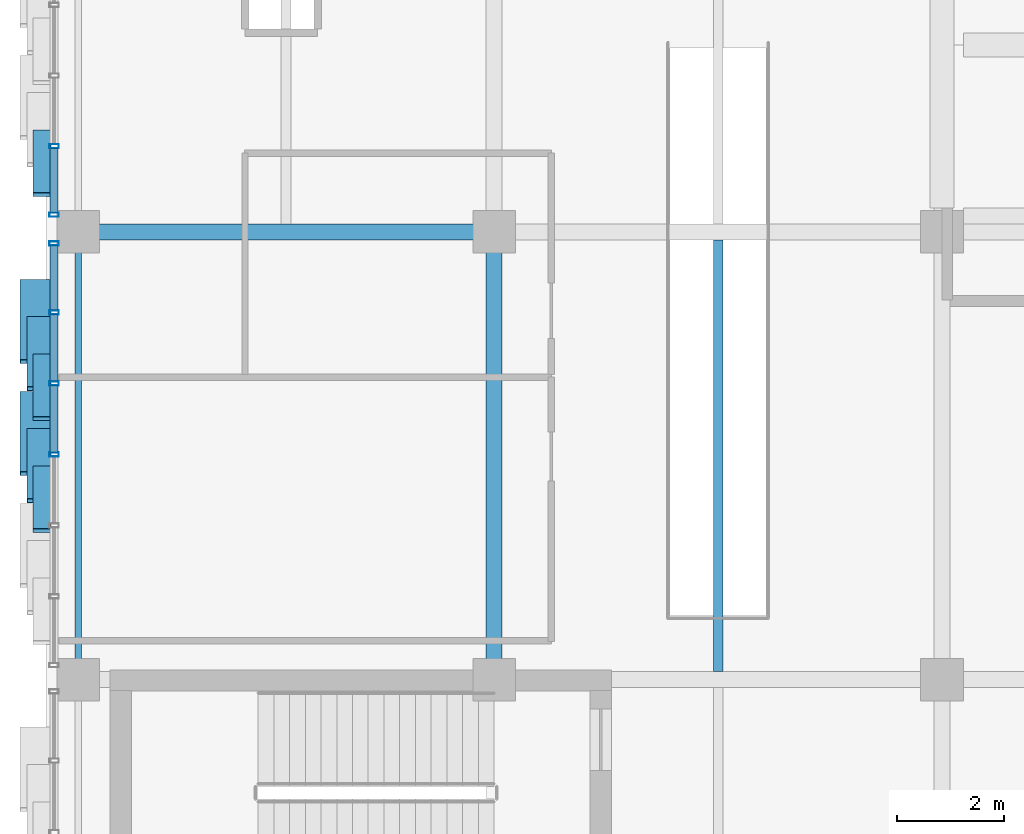
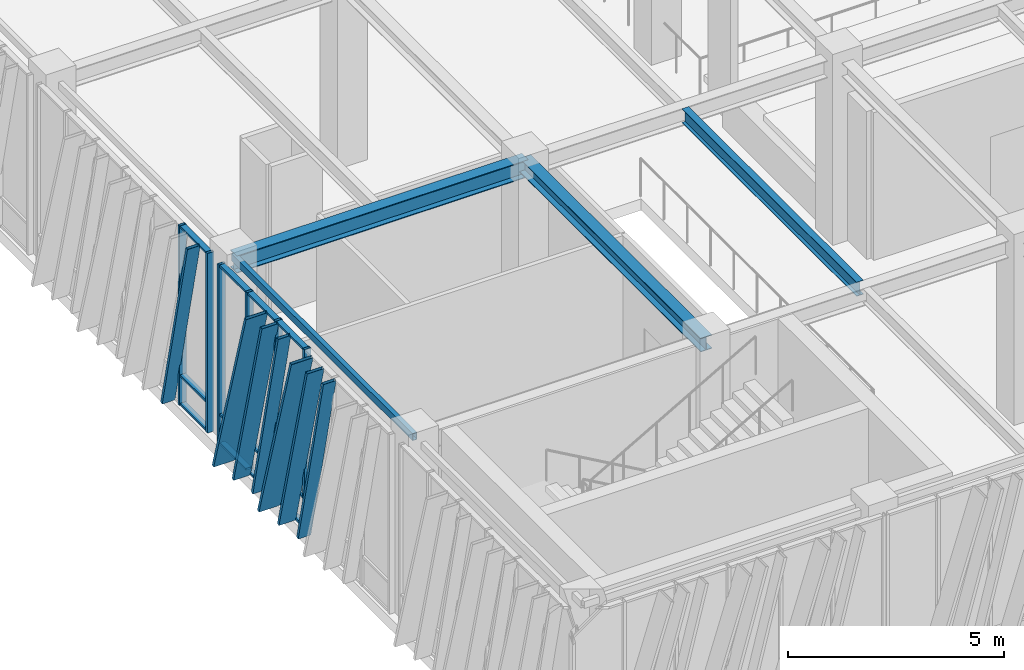
# One storey, part 38 of 139: 25 members, 4 beams, 2 elements without a shape of their own.
"""IFC4 building model written with IfcOpenShell, lengths in metres."""

from ifc_helpers import new_model, si_unit, direction, frame, origin, origin_2d, place, context, subcontext, project, spatial, hollow_rectangle, i_section, extrude, material, layer, layer_set, material_profile, profile_set, type_object, element, aggregate, save


model = new_model("IFC4")

# Units and contexts
model_context = context("Model", 3, precision=1e-05, world=origin(), true_north=direction((0.0, 1.0)))
body_context = subcontext(model_context, "Body", "Model", "MODEL_VIEW")
ifc_project = project(units=[si_unit("LENGTHUNIT", "METRE"), si_unit("AREAUNIT", "SQUARE_METRE"), si_unit("VOLUMEUNIT", "CUBIC_METRE"), si_unit("PLANEANGLEUNIT", "RADIAN"), si_unit("MASSUNIT", "GRAM", prefix="KILO")], contexts=[model_context])

# Site, building, storey
site_placement = place(None, origin())
site = spatial("IfcSite", under=ifc_project, at=site_placement, CompositionType="ELEMENT")
building_placement = place(site_placement, origin())
building = spatial("IfcBuilding", under=site, at=building_placement, Name="Zayran Congress Hotel", CompositionType="ELEMENT")
storey_placement = place(building_placement, frame((0.0, 0.0, 5.39990234375)))
storey = spatial("IfcBuildingStorey", under=building, at=storey_placement, Name="L01", CompositionType="ELEMENT", Elevation=5.39990234375)

# Beams
ifc_material_1 = material(Name="Steel S355", Category="steel")
ifc_material_profile_1 = material_profile(ifc_material_1, i_section(OverallWidth=0.300048828125, OverallDepth=0.489990234375, WebThickness=0.011962890625, FlangeThickness=0.02294921875, at=origin_2d()), Name="HEA 500")
ifc_profile_set_1 = profile_set([ifc_material_profile_1], Name="Steel S355")
beam_type_1 = type_object("IfcBeamType", Name="TP-BM-05", PredefinedType="BEAM", material=ifc_profile_set_1)
beam_1_placement = place(storey_placement, frame((9.0, 84.39990234375, 4.835205078125), z_axis=(1.0, 0.0, 0.0), x_axis=(0.0, 1.0, 0.0)))
element("IfcBeam", 1, at=beam_1_placement, inside=storey, type_object=beam_type_1, Name="BM-V1-L01-0533", PredefinedType="BEAM", context=body_context, shape_type="SweptSolid", body=[
    extrude(i_section(OverallWidth=0.300048828125, OverallDepth=0.489990234375, WebThickness=0.011962890625, FlangeThickness=0.02294921875, at=origin_2d()), origin(), (0.0, 0.0, 1.0), 7.800048828125),
])
ifc_material_profile_2 = material_profile(ifc_material_1, i_section(OverallWidth=0.300048828125, OverallDepth=0.389892578125, WebThickness=0.010986328125, FlangeThickness=0.01904296875, at=origin_2d()), Name="HEA 400")
ifc_profile_set_2 = profile_set([ifc_material_profile_2], Name="Steel S355")
beam_type_2 = type_object("IfcBeamType", Name="TP-BM-06", PredefinedType="BEAM", material=ifc_profile_set_2)
beam_2_placement = place(storey_placement, frame((16.800048828125, 76.0, 4.885009765625), z_axis=(0.0, 1.0, 0.0), x_axis=(-1.0, 0.0, 0.0)))
element("IfcBeam", 2, at=beam_2_placement, inside=storey, type_object=beam_type_2, Name="BM-V1-L01-0577", PredefinedType="BEAM", context=body_context, shape_type="SweptSolid", body=[
    extrude(i_section(OverallWidth=0.300048828125, OverallDepth=0.389892578125, WebThickness=0.010986328125, FlangeThickness=0.01904296875, at=origin_2d()), origin(), (0.0, 0.0, 1.0), 8.39990234375),
])
ifc_material_profile_3 = material_profile(ifc_material_1, i_section(OverallWidth=0.179931640625, OverallDepth=0.39990234375, WebThickness=0.008544921875, FlangeThickness=0.013427734375, at=origin_2d()), Name="IPE 400")
ifc_profile_set_3 = profile_set([ifc_material_profile_3], Name="Steel S355")
beam_type_3 = type_object("IfcBeamType", Name="TP-JS-03", PredefinedType="JOIST", material=ifc_profile_set_3)
beam_3_placement = place(storey_placement, frame((21.0, 76.14990234375, 4.880126953125), z_axis=(0.0, 1.0, 0.0), x_axis=(-1.0, 0.0, 0.0)))
element("IfcBeam", 3, at=beam_3_placement, inside=storey, type_object=beam_type_3, Name="JST-V1-L01-0621", PredefinedType="JOIST", context=body_context, shape_type="SweptSolid", body=[
    extrude(i_section(OverallWidth=0.179931640625, OverallDepth=0.39990234375, WebThickness=0.008544921875, FlangeThickness=0.013427734375, at=origin_2d()), origin(), (0.0, 0.0, 1.0), 8.10009765625),
])
ifc_material_profile_4 = material_profile(ifc_material_1, hollow_rectangle(XDim=0.1201171875, YDim=0.199951171875, WallThickness=0.008056640625, at=origin_2d()), Name="RHS 200x120x8")
ifc_profile_set_4 = profile_set([ifc_material_profile_4], Name="Steel S355")
beam_type_4 = type_object("IfcBeamType", Name="TP-SP-02", PredefinedType="SPANDREL", material=ifc_profile_set_4)
beam_4_placement = place(storey_placement, frame((9.0, 76.0, 4.97998046875), z_axis=(0.0, 1.0, 0.0), x_axis=(-1.0, 0.0, 0.0)))
element("IfcBeam", 4, at=beam_4_placement, inside=storey, type_object=beam_type_4, Name="BM-V1-L01-0572", PredefinedType="SPANDREL", context=body_context, shape_type="SweptSolid", body=[
    extrude(hollow_rectangle(XDim=0.1201171875, YDim=0.199951171875, WallThickness=0.008056640625, at=origin_2d()), origin(), (0.0, 0.0, 1.0), 8.39990234375),
])

# Curtain wall, members
ifc_material_2 = material(Name="Anodised aluminium and low-E insulated glass", Category="aluminium")
ifc_layer_1 = layer(ifc_material_2, 0.179931640625)
ifc_layer_set_1 = layer_set([ifc_layer_1], Name="Anodised aluminium and low-E insulated glass")
curtain_wall_type_1 = type_object("IfcCurtainWallType", Name="CW-V1W-L01-CW-32-7990-5080", PredefinedType="USERDEFINED", material=ifc_layer_set_1)
curtain_wall_1_placement = place(storey_placement, origin())
curtain_wall_1 = element("IfcCurtainWall", 5, at=curtain_wall_1_placement, inside=storey, type_object=curtain_wall_type_1, Name="CW-V1W-L01-1", ObjectType="CURTAIN WALL", PredefinedType="USERDEFINED")
ifc_material_3 = material(Name="Anodised aluminium framing", Category="aluminium")
ifc_material_profile_5 = material_profile(ifc_material_3, hollow_rectangle(XDim=0.080078125, YDim=0.179931640625, WallThickness=0.0048828125, at=origin_2d()), Name="RHS 180x80x5")
ifc_profile_set_5 = profile_set([ifc_material_profile_5], Name="Anodised aluminium framing")
member_type_1 = type_object("IfcMemberType", Name="TP-CWM-01", PredefinedType="MULLION", material=ifc_profile_set_5)
member_1_placement = place(storey_placement, frame((8.550048828125, 84.179931640625, 0.0), z_axis=(0.0, 0.0, 1.0), x_axis=(0.0, 1.0, 0.0)))
member_1 = element("IfcMember", 6, at=member_1_placement, type_object=member_type_1, Name="CW-V1W-L01-1-M00", PredefinedType="MULLION", context=body_context, shape_type="SweptSolid", body=[
    extrude(hollow_rectangle(XDim=0.080078125, YDim=0.179931640625, WallThickness=0.0048828125, at=origin_2d()), origin(), (0.0, 0.0, 1.0), 5.080078125),
])
member_2_placement = place(storey_placement, frame((8.550048828125, 82.88818359375, 0.0), z_axis=(0.0, 0.0, 1.0), x_axis=(0.0, 1.0, 0.0)))
member_2 = element("IfcMember", 7, at=member_2_placement, type_object=member_type_1, Name="CW-V1W-L01-1-M01", PredefinedType="MULLION", context=body_context, shape_type="SweptSolid", body=[
    extrude(hollow_rectangle(XDim=0.080078125, YDim=0.179931640625, WallThickness=0.0048828125, at=origin_2d()), origin(), (0.0, 0.0, 1.0), 5.080078125),
])
member_3_placement = place(storey_placement, frame((8.550048828125, 81.556640625, 0.0), z_axis=(0.0, 0.0, 1.0), x_axis=(0.0, 1.0, 0.0)))
member_3 = element("IfcMember", 8, at=member_3_placement, type_object=member_type_1, Name="CW-V1W-L01-1-M02", PredefinedType="MULLION", context=body_context, shape_type="SweptSolid", body=[
    extrude(hollow_rectangle(XDim=0.080078125, YDim=0.179931640625, WallThickness=0.0048828125, at=origin_2d()), origin(), (0.0, 0.0, 1.0), 5.080078125),
])
member_4_placement = place(storey_placement, frame((8.550048828125, 80.22509765625, 0.0), z_axis=(0.0, 0.0, 1.0), x_axis=(0.0, 1.0, 0.0)))
member_4 = element("IfcMember", 9, at=member_4_placement, type_object=member_type_1, Name="CW-V1W-L01-1-M03", PredefinedType="MULLION", context=body_context, shape_type="SweptSolid", body=[
    extrude(hollow_rectangle(XDim=0.080078125, YDim=0.179931640625, WallThickness=0.0048828125, at=origin_2d()), origin(), (0.0, 0.0, 1.0), 5.080078125),
])

ifc_layer_2 = layer(ifc_material_2, 0.179931640625)
ifc_layer_set_2 = layer_set([ifc_layer_2], Name="Anodised aluminium and low-E insulated glass")
curtain_wall_type_2 = type_object("IfcCurtainWallType", Name="CW-V1W-L01-CW-31-7940-5080", PredefinedType="USERDEFINED", material=ifc_layer_set_2)
curtain_wall_2_placement = place(storey_placement, origin())
curtain_wall_2 = element("IfcCurtainWall", 10, at=curtain_wall_2_placement, inside=storey, type_object=curtain_wall_type_2, Name="CW-V1W-L01-2", ObjectType="CURTAIN WALL", PredefinedType="USERDEFINED")
member_5_placement = place(storey_placement, frame((8.550048828125, 86.00341796875, 0.0), z_axis=(0.0, 0.0, 1.0), x_axis=(0.0, 1.0, 0.0)))
member_5 = element("IfcMember", 11, at=member_5_placement, type_object=member_type_1, Name="CW-V1W-L01-2-M05", PredefinedType="MULLION", context=body_context, shape_type="SweptSolid", body=[
    extrude(hollow_rectangle(XDim=0.080078125, YDim=0.179931640625, WallThickness=0.0048828125, at=origin_2d()), origin(), (0.0, 0.0, 1.0), 5.080078125),
])
member_6_placement = place(storey_placement, frame((8.550048828125, 84.719970703125, 0.0), z_axis=(0.0, 0.0, 1.0), x_axis=(0.0, 1.0, 0.0)))
member_6 = element("IfcMember", 12, at=member_6_placement, type_object=member_type_1, Name="CW-V1W-L01-2-M06", PredefinedType="MULLION", context=body_context, shape_type="SweptSolid", body=[
    extrude(hollow_rectangle(XDim=0.080078125, YDim=0.179931640625, WallThickness=0.0048828125, at=origin_2d()), origin(), (0.0, 0.0, 1.0), 5.080078125),
])

# Member
ifc_material_profile_6 = material_profile(ifc_material_3, hollow_rectangle(XDim=0.06005859375, YDim=0.14990234375, WallThickness=0.00390625, at=origin_2d()), Name="RHS 150x60x4")
ifc_profile_set_6 = profile_set([ifc_material_profile_6], Name="Anodised aluminium framing")
member_type_2 = type_object("IfcMemberType", Name="TP-CWT-01", PredefinedType="USERDEFINED", material=ifc_profile_set_6)
member_7_placement = place(storey_placement, frame((8.550048828125, 84.139892578125, 0.030029296875), z_axis=(0.0, -1.0, 0.0), x_axis=(0.0, 0.0, 1.0)))
member_7 = element("IfcMember", 13, at=member_7_placement, type_object=member_type_2, Name="CW-V1W-L01-1-T00-0", ObjectType="TRANSOM", PredefinedType="USERDEFINED", context=body_context, shape_type="SweptSolid", body=[
    extrude(hollow_rectangle(XDim=0.06005859375, YDim=0.14990234375, WallThickness=0.00390625, at=origin_2d()), origin(), (0.0, 0.0, 1.0), 1.211669921875),
])

member_8_placement = place(storey_placement, frame((8.550048828125, 84.139892578125, 0.840087890625), z_axis=(0.0, -1.0, 0.0), x_axis=(0.0, 0.0, 1.0)))
member_8 = element("IfcMember", 14, at=member_8_placement, type_object=member_type_2, Name="CW-V1W-L01-1-T00-1", ObjectType="TRANSOM", PredefinedType="USERDEFINED", context=body_context, shape_type="SweptSolid", body=[
    extrude(hollow_rectangle(XDim=0.06005859375, YDim=0.14990234375, WallThickness=0.00390625, at=origin_2d()), origin(), (0.0, 0.0, 1.0), 1.211669921875),
])

member_9_placement = place(storey_placement, frame((8.550048828125, 84.139892578125, 5.050048828125), z_axis=(0.0, -1.0, 0.0), x_axis=(0.0, 0.0, 1.0)))
member_9 = element("IfcMember", 15, at=member_9_placement, type_object=member_type_2, Name="CW-V1W-L01-1-T00-2", ObjectType="TRANSOM", PredefinedType="USERDEFINED", context=body_context, shape_type="SweptSolid", body=[
    extrude(hollow_rectangle(XDim=0.06005859375, YDim=0.14990234375, WallThickness=0.00390625, at=origin_2d()), origin(), (0.0, 0.0, 1.0), 1.211669921875),
])

member_10_placement = place(storey_placement, frame((8.550048828125, 82.848388671875, 0.030029296875), z_axis=(0.0, -1.0, 0.0), x_axis=(0.0, 0.0, 1.0)))
member_10 = element("IfcMember", 16, at=member_10_placement, type_object=member_type_2, Name="CW-V1W-L01-1-T01-0", ObjectType="TRANSOM", PredefinedType="USERDEFINED", context=body_context, shape_type="SweptSolid", body=[
    extrude(hollow_rectangle(XDim=0.06005859375, YDim=0.14990234375, WallThickness=0.00390625, at=origin_2d()), origin(), (0.0, 0.0, 1.0), 1.251708984375),
])

member_11_placement = place(storey_placement, frame((8.550048828125, 82.848388671875, 0.840087890625), z_axis=(0.0, -1.0, 0.0), x_axis=(0.0, 0.0, 1.0)))
member_11 = element("IfcMember", 17, at=member_11_placement, type_object=member_type_2, Name="CW-V1W-L01-1-T01-1", ObjectType="TRANSOM", PredefinedType="USERDEFINED", context=body_context, shape_type="SweptSolid", body=[
    extrude(hollow_rectangle(XDim=0.06005859375, YDim=0.14990234375, WallThickness=0.00390625, at=origin_2d()), origin(), (0.0, 0.0, 1.0), 1.251708984375),
])

member_12_placement = place(storey_placement, frame((8.550048828125, 82.848388671875, 5.050048828125), z_axis=(0.0, -1.0, 0.0), x_axis=(0.0, 0.0, 1.0)))
member_12 = element("IfcMember", 18, at=member_12_placement, type_object=member_type_2, Name="CW-V1W-L01-1-T01-2", ObjectType="TRANSOM", PredefinedType="USERDEFINED", context=body_context, shape_type="SweptSolid", body=[
    extrude(hollow_rectangle(XDim=0.06005859375, YDim=0.14990234375, WallThickness=0.00390625, at=origin_2d()), origin(), (0.0, 0.0, 1.0), 1.251708984375),
])

member_13_placement = place(storey_placement, frame((8.550048828125, 81.5166015625, 0.030029296875), z_axis=(0.0, -1.0, 0.0), x_axis=(0.0, 0.0, 1.0)))
member_13 = element("IfcMember", 19, at=member_13_placement, type_object=member_type_2, Name="CW-V1W-L01-1-T02-0", ObjectType="TRANSOM", PredefinedType="USERDEFINED", context=body_context, shape_type="SweptSolid", body=[
    extrude(hollow_rectangle(XDim=0.06005859375, YDim=0.14990234375, WallThickness=0.00390625, at=origin_2d()), origin(), (0.0, 0.0, 1.0), 1.251708984375),
])

member_14_placement = place(storey_placement, frame((8.550048828125, 81.5166015625, 0.840087890625), z_axis=(0.0, -1.0, 0.0), x_axis=(0.0, 0.0, 1.0)))
member_14 = element("IfcMember", 20, at=member_14_placement, type_object=member_type_2, Name="CW-V1W-L01-1-T02-1", ObjectType="TRANSOM", PredefinedType="USERDEFINED", context=body_context, shape_type="SweptSolid", body=[
    extrude(hollow_rectangle(XDim=0.06005859375, YDim=0.14990234375, WallThickness=0.00390625, at=origin_2d()), origin(), (0.0, 0.0, 1.0), 1.251708984375),
])

member_15_placement = place(storey_placement, frame((8.550048828125, 81.5166015625, 5.050048828125), z_axis=(0.0, -1.0, 0.0), x_axis=(0.0, 0.0, 1.0)))
member_15 = element("IfcMember", 21, at=member_15_placement, type_object=member_type_2, Name="CW-V1W-L01-1-T02-2", ObjectType="TRANSOM", PredefinedType="USERDEFINED", context=body_context, shape_type="SweptSolid", body=[
    extrude(hollow_rectangle(XDim=0.06005859375, YDim=0.14990234375, WallThickness=0.00390625, at=origin_2d()), origin(), (0.0, 0.0, 1.0), 1.251708984375),
])

member_16_placement = place(storey_placement, frame((8.550048828125, 85.96337890625, 0.030029296875), z_axis=(0.0, -1.0, 0.0), x_axis=(0.0, 0.0, 1.0)))
member_16 = element("IfcMember", 22, at=member_16_placement, type_object=member_type_2, Name="CW-V1W-L01-2-T05-0", ObjectType="TRANSOM", PredefinedType="USERDEFINED", context=body_context, shape_type="SweptSolid", body=[
    extrude(hollow_rectangle(XDim=0.06005859375, YDim=0.14990234375, WallThickness=0.00390625, at=origin_2d()), origin(), (0.0, 0.0, 1.0), 1.203369140625),
])

member_17_placement = place(storey_placement, frame((8.550048828125, 85.96337890625, 0.840087890625), z_axis=(0.0, -1.0, 0.0), x_axis=(0.0, 0.0, 1.0)))
member_17 = element("IfcMember", 23, at=member_17_placement, type_object=member_type_2, Name="CW-V1W-L01-2-T05-1", ObjectType="TRANSOM", PredefinedType="USERDEFINED", context=body_context, shape_type="SweptSolid", body=[
    extrude(hollow_rectangle(XDim=0.06005859375, YDim=0.14990234375, WallThickness=0.00390625, at=origin_2d()), origin(), (0.0, 0.0, 1.0), 1.203369140625),
])

member_18_placement = place(storey_placement, frame((8.550048828125, 85.96337890625, 5.050048828125), z_axis=(0.0, -1.0, 0.0), x_axis=(0.0, 0.0, 1.0)))
member_18 = element("IfcMember", 24, at=member_18_placement, type_object=member_type_2, Name="CW-V1W-L01-2-T05-2", ObjectType="TRANSOM", PredefinedType="USERDEFINED", context=body_context, shape_type="SweptSolid", body=[
    extrude(hollow_rectangle(XDim=0.06005859375, YDim=0.14990234375, WallThickness=0.00390625, at=origin_2d()), origin(), (0.0, 0.0, 1.0), 1.203369140625),
])

ifc_material_4 = material(Name="Warm bronze anodised aluminium", Category="aluminium")
ifc_material_profile_7 = material_profile(ifc_material_4, hollow_rectangle(XDim=0.080078125, YDim=0.580078125, WallThickness=0.006103515625, at=origin_2d()), Name="RHS 580x80x6")
ifc_profile_set_7 = profile_set([ifc_material_profile_7], Name="Warm bronze anodised aluminium")
member_type_3 = type_object("IfcMemberType", Name="TP-RFN-01", PredefinedType="MULLION", material=ifc_profile_set_7)
member_19_placement = place(storey_placement, frame((8.199951171875, 83.469970703125, 0.0), z_axis=(0.0, -0.284031848834, 0.958814845968), x_axis=(0.0, 0.958814845968, 0.284031848834)))
member_19 = element("IfcMember", 25, at=member_19_placement, type_object=member_type_3, Name="Slanting Reed Mullion CW-32-01", PredefinedType="MULLION", context=body_context, shape_type="SweptSolid", body=[
    extrude(hollow_rectangle(XDim=0.080078125, YDim=0.580078125, WallThickness=0.006103515625, at=origin_2d()), origin(), (0.0, 0.0, 1.0), 5.29833984375),
])

member_20_placement = place(storey_placement, frame((8.199951171875, 81.3701171875, 0.0), z_axis=(0.0, -0.284031848834, 0.958814845968), x_axis=(0.0, 0.958814845968, 0.284031848834)))
member_20 = element("IfcMember", 26, at=member_20_placement, type_object=member_type_3, Name="Slanting Reed Mullion CW-32-04", PredefinedType="MULLION", context=body_context, shape_type="SweptSolid", body=[
    extrude(hollow_rectangle(XDim=0.080078125, YDim=0.580078125, WallThickness=0.006103515625, at=origin_2d()), origin(), (0.0, 0.0, 1.0), 5.29833984375),
])

ifc_material_profile_8 = material_profile(ifc_material_4, hollow_rectangle(XDim=0.080078125, YDim=0.449951171875, WallThickness=0.006103515625, at=origin_2d()), Name="RHS 450x80x6")
ifc_profile_set_8 = profile_set([ifc_material_profile_8], Name="Warm bronze anodised aluminium")
member_type_4 = type_object("IfcMemberType", Name="TP-RFN-02", PredefinedType="MULLION", material=ifc_profile_set_8)
member_21_placement = place(storey_placement, frame((8.264892578125, 82.77001953125, 0.0), z_axis=(0.0, -0.250366279854, 0.968151189594), x_axis=(0.0, 0.968151189594, 0.250366279854)))
member_21 = element("IfcMember", 27, at=member_21_placement, type_object=member_type_4, Name="Slanting Reed Mullion CW-32-02", PredefinedType="MULLION", context=body_context, shape_type="SweptSolid", body=[
    extrude(hollow_rectangle(XDim=0.080078125, YDim=0.449951171875, WallThickness=0.006103515625, at=origin_2d()), origin(), (0.0, 0.0, 1.0), 5.247314453125),
])

member_22_placement = place(storey_placement, frame((8.264892578125, 80.669921875, 0.0), z_axis=(0.0, -0.250366279854, 0.968151189594), x_axis=(0.0, 0.968151189594, 0.250366279854)))
member_22 = element("IfcMember", 28, at=member_22_placement, type_object=member_type_4, Name="Slanting Reed Mullion CW-32-05", PredefinedType="MULLION", context=body_context, shape_type="SweptSolid", body=[
    extrude(hollow_rectangle(XDim=0.080078125, YDim=0.449951171875, WallThickness=0.006103515625, at=origin_2d()), origin(), (0.0, 0.0, 1.0), 5.247314453125),
])

ifc_material_profile_9 = material_profile(ifc_material_4, hollow_rectangle(XDim=0.080078125, YDim=0.340087890625, WallThickness=0.006103515625, at=origin_2d()), Name="RHS 340x80x6")
ifc_profile_set_9 = profile_set([ifc_material_profile_9], Name="Warm bronze anodised aluminium")
member_type_5 = type_object("IfcMemberType", Name="TP-RFN-03", PredefinedType="MULLION", material=ifc_profile_set_9)
member_23_placement = place(storey_placement, frame((8.320068359375, 82.070068359375, 0.0), z_axis=(0.0, -0.224955263497, 0.974369093016), x_axis=(0.0, 0.974369093016, 0.224955263497)))
member_23 = element("IfcMember", 29, at=member_23_placement, type_object=member_type_5, Name="Slanting Reed Mullion CW-32-03", PredefinedType="MULLION", context=body_context, shape_type="SweptSolid", body=[
    extrude(hollow_rectangle(XDim=0.080078125, YDim=0.340087890625, WallThickness=0.006103515625, at=origin_2d()), origin(), (0.0, 0.0, 1.0), 5.213623046875),
])

member_24_placement = place(storey_placement, frame((8.320068359375, 79.969970703125, 0.0), z_axis=(0.0, -0.224955263497, 0.974369093016), x_axis=(0.0, 0.974369093016, 0.224955263497)))
member_24 = element("IfcMember", 30, at=member_24_placement, type_object=member_type_5, Name="Slanting Reed Mullion CW-32-06", PredefinedType="MULLION", context=body_context, shape_type="SweptSolid", body=[
    extrude(hollow_rectangle(XDim=0.080078125, YDim=0.340087890625, WallThickness=0.006103515625, at=origin_2d()), origin(), (0.0, 0.0, 1.0), 5.213623046875),
])

aggregate(curtain_wall_1, [member_1, member_2, member_3, member_4, member_7, member_8, member_9, member_10, member_11, member_12, member_13, member_14, member_15, member_19, member_21, member_23, member_20, member_22, member_24])

member_25_placement = place(storey_placement, frame((8.320068359375, 86.27001953125, 0.0), z_axis=(0.0, -0.224955263497, 0.974369093016), x_axis=(0.0, 0.974369093016, 0.224955263497)))
member_25 = element("IfcMember", 31, at=member_25_placement, type_object=member_type_5, Name="Slanting Reed Mullion CW-31-09", PredefinedType="MULLION", context=body_context, shape_type="SweptSolid", body=[
    extrude(hollow_rectangle(XDim=0.080078125, YDim=0.340087890625, WallThickness=0.006103515625, at=origin_2d()), origin(), (0.0, 0.0, 1.0), 5.213623046875),
])

aggregate(curtain_wall_2, [member_5, member_6, member_16, member_17, member_18, member_25])

save(model, "model.ifc")
